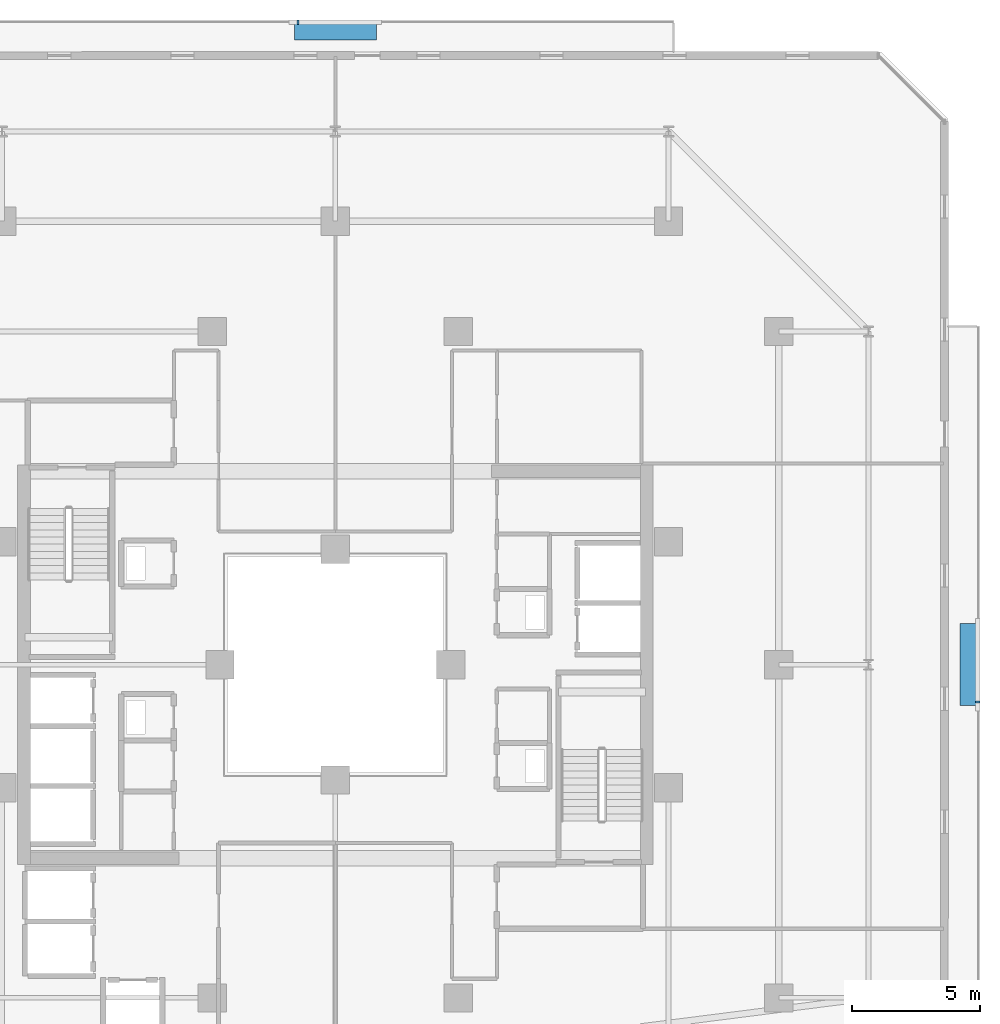
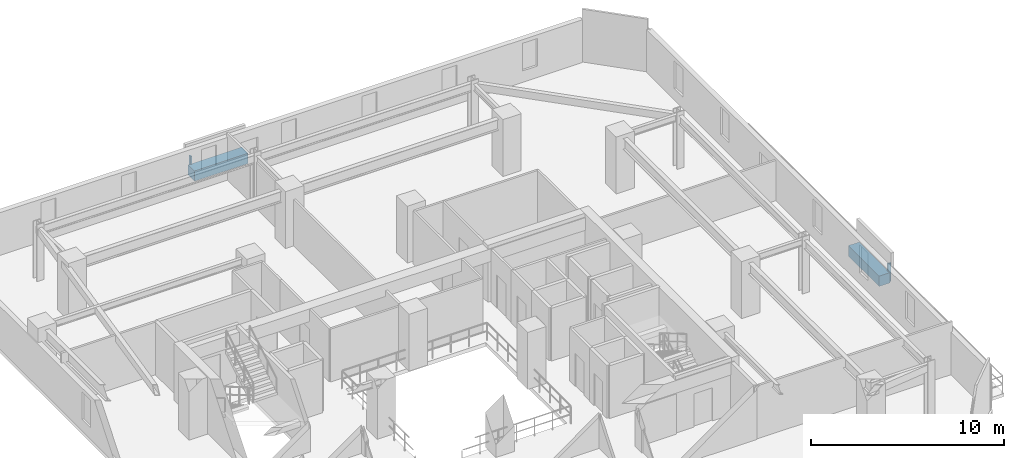
# One storey, part 28 of 32: 4 discrete accessories.
"""IFC4 building model written with IfcOpenShell, lengths in metres."""

import ifcopenshell
import ifcopenshell.guid

model = None  # the IFC model being written
_history = None  # IfcOwnerHistory: only IFC2X3 demands one
_inside = {}  # id of a spatial element -> (the spatial element, [elements in it])
_under = {}  # id of a project, library or spatial element -> (it, [spatial elements below it])
_declared = {}  # id of a project -> (the project, [libraries it declares])
_typed = {}  # id of a type object -> (the type object, [elements of that type])
_made_of = {}  # id of a material, layer set ... -> (it, [elements and type objects made of it])


def new_model(schema):
    """Start an empty IFC model of exactly this schema.

    Asked for "IFC4X3", IfcOpenShell would pick the latest addendum, in which some entities
    have other attributes; the version numbers below select the first issue.
    IFC2X3 requires an IfcOwnerHistory on every rooted entity: one is made here for all.
    """
    global model, _history
    if schema == "IFC4X3":
        model = ifcopenshell.file(schema_version=(4, 3, 0, 0))
    else:
        model = ifcopenshell.file(schema=schema)
    _inside.clear()
    _under.clear()
    _declared.clear()
    _typed.clear()
    _made_of.clear()
    _history = None
    if model.schema == "IFC2X3":
        org = make("IfcOrganization", Name="unknown")
        user = make(
            "IfcPersonAndOrganization",
            ThePerson=make("IfcPerson", FamilyName="unknown"),
            TheOrganization=org,
        )
        app = make(
            "IfcApplication",
            ApplicationDeveloper=org,
            Version="unknown",
            ApplicationFullName="unknown",
            ApplicationIdentifier="unknown",
        )
        _history = make(
            "IfcOwnerHistory",
            OwningUser=user,
            OwningApplication=app,
            ChangeAction="ADDED",
            CreationDate=0,
        )
    return model


def make(cls, **values):
    """One entity of the class cls with the attributes given. An attribute that is None is left unset."""
    return model.create_entity(
        cls, **{name: value for name, value in values.items() if value is not None}
    )


def rooted(cls, **values):
    """An entity with a GlobalId (a new one), such as an element, a storey or a relation."""
    return make(cls, GlobalId=ifcopenshell.guid.new(), OwnerHistory=_history, **values)


def si_unit(unit_type, name, prefix=None):
    """IfcSIUnit, for example si_unit("LENGTHUNIT", "METRE", prefix="MILLI")."""
    return make("IfcSIUnit", UnitType=unit_type, Prefix=prefix, Name=name)


def assignment(units):
    """IfcUnitAssignment: the units of a project."""
    return None if units is None else make("IfcUnitAssignment", Units=units)


def point(xyz):
    """IfcCartesianPoint."""
    return None if xyz is None else make("IfcCartesianPoint", Coordinates=xyz)


def direction(xyz):
    """IfcDirection."""
    return None if xyz is None else make("IfcDirection", DirectionRatios=xyz)


def frame(location, z_axis=None, x_axis=None):
    """IfcAxis2Placement3D, a coordinate frame: its origin and axes. An axis left out is left unset."""
    return make(
        "IfcAxis2Placement3D",
        Location=point(location),
        Axis=direction(z_axis),
        RefDirection=direction(x_axis),
    )


def frame_2d(location, x_axis=None):
    """IfcAxis2Placement2D, a coordinate frame in the plane: its origin and x axis."""
    return make(
        "IfcAxis2Placement2D", Location=point(location), RefDirection=direction(x_axis)
    )


def origin():
    """The frame at (0, 0, 0) with its axes left unset."""
    return frame((0.0, 0.0, 0.0))


def origin_2d():
    """The frame at (0, 0) in the plane with its x axis left unset."""
    return frame_2d((0.0, 0.0))


def place(relative_to, where):
    """IfcLocalPlacement: puts the frame where relative to a parent placement (None: the world)."""
    return make(
        "IfcLocalPlacement", PlacementRelTo=relative_to, RelativePlacement=where
    )


def context(
    kind, dimensions, precision=None, world=None, true_north=None, identifier=None
):
    """IfcGeometricRepresentationContext, for example the 3D "Model" context."""
    return make(
        "IfcGeometricRepresentationContext",
        ContextIdentifier=identifier,
        ContextType=kind,
        CoordinateSpaceDimension=dimensions,
        Precision=precision,
        WorldCoordinateSystem=world,
        TrueNorth=true_north,
    )


def subcontext(parent, identifier, kind, view, scale=None):
    """IfcGeometricRepresentationSubContext, for example "Body" below "Model"."""
    return make(
        "IfcGeometricRepresentationSubContext",
        ContextIdentifier=identifier,
        ContextType=kind,
        ParentContext=parent,
        TargetScale=scale,
        TargetView=view,
    )


def project(units=None, contexts=None):
    """IfcProject with its units and contexts."""
    return rooted(
        "IfcProject",
        Name="project",
        RepresentationContexts=contexts,
        UnitsInContext=assignment(units),
    )


def spatial(cls, under=None, at=None, **own):
    """A site, building, storey or space (cls), placed at a placement, below another one or the project."""
    s = rooted(cls, ObjectPlacement=at, **own)
    if under is not None:
        _under.setdefault(under.id(), (under, []))[1].append(s)
    return s


def profile(cls, at=None, kind="AREA", **sizes):
    """A parametric profile (cls). Its sizes go by their IFC names, for example OverallWidth=200.0."""
    return make(cls, ProfileType=kind, Position=at, **sizes)


def rectangle(**sizes):
    """IfcRectangleProfileDef."""
    return profile("IfcRectangleProfileDef", **sizes)


def extrude(swept, where, along, depth):
    """IfcExtrudedAreaSolid: the profile swept, set in the frame where, extruded along a direction by depth."""
    return make(
        "IfcExtrudedAreaSolid",
        SweptArea=swept,
        Position=where,
        ExtrudedDirection=direction(along),
        Depth=depth,
    )


def shape(context_of_items, identifier, shape_type, items):
    """IfcShapeRepresentation: the items that make up one representation, for example the "Body"."""
    return make(
        "IfcShapeRepresentation",
        ContextOfItems=context_of_items,
        RepresentationIdentifier=identifier,
        RepresentationType=shape_type,
        Items=items,
    )


def material(Name=None, Category=None):
    """IfcMaterial."""
    return make("IfcMaterial", Name=Name, Category=Category)


def made_of(thing, what):
    """Note that an element or type object is made of a material, layer set ...; save() writes the relation."""
    if what is not None:
        _made_of.setdefault(what.id(), (what, []))[1].append(thing)
    return thing


def type_object(cls, material=None, **own):
    """A type object (cls), such as IfcWallType, which elements share."""
    return made_of(rooted(cls, **own), material)


def element(
    cls,
    number,
    at=None,
    inside=None,
    cuts=None,
    type_object=None,
    material=None,
    context=None,
    identifier="Body",
    shape_type=None,
    held_by="IfcProductDefinitionShape",
    body=None,
    shapes=None,
    **own,
):
    """One element of the class cls, such as IfcWall. Its Tag is "e" and its number.

    at: its placement. inside: the storey or other place that contains it. cuts: it is an
    opening in that element (IfcRelVoidsElement). A single representation is given by context,
    identifier, shape_type and body (its items); several are given by shapes. held_by: the class
    of the entity that holds the representations. save() writes the other relations.
    """
    e = rooted(cls, Tag="e%d" % number, ObjectPlacement=at, **own)
    if body is not None:
        shapes = [shape(context, identifier, shape_type, body)]
    if shapes is not None:
        e.Representation = make(held_by, Representations=shapes)
    if inside is not None:
        _inside.setdefault(inside.id(), (inside, []))[1].append(e)
    if cuts is not None:
        rooted(
            "IfcRelVoidsElement", RelatingBuildingElement=cuts, RelatedOpeningElement=e
        )
    if type_object is not None:
        _typed.setdefault(type_object.id(), (type_object, []))[1].append(e)
    return made_of(e, material)


def aggregate(whole, parts):
    """IfcRelAggregates: a whole, such as a stair, and the parts it consists of."""
    return rooted("IfcRelAggregates", RelatingObject=whole, RelatedObjects=parts)


def save(model, path):
    """Write the relations noted so far, then the file.

    IfcRelAggregates (storeys below a building ...), IfcRelContainedInSpatialStructure (elements
    in a storey), IfcRelDefinesByType, IfcRelAssociatesMaterial and IfcRelDeclares: one each for
    every whole, place, type object, material and project.
    """
    for whole, parts in _under.values():
        aggregate(whole, parts)
    for where, things in _inside.values():
        rooted(
            "IfcRelContainedInSpatialStructure",
            RelatedElements=things,
            RelatingStructure=where,
        )
    for kind, things in _typed.values():
        rooted("IfcRelDefinesByType", RelatedObjects=things, RelatingType=kind)
    for what, things in _made_of.values():
        rooted("IfcRelAssociatesMaterial", RelatedObjects=things, RelatingMaterial=what)
    for by, libraries in _declared.values():
        rooted("IfcRelDeclares", RelatingContext=by, RelatedDefinitions=libraries)
    model.write(path)


model = new_model("IFC4")

# Units and contexts
model_context = context("Model", 3, precision=1e-05, world=origin(), true_north=direction((0.0, 1.0)))
body_context = subcontext(model_context, "Body", "Model", "MODEL_VIEW")
ifc_project = project(units=[si_unit("LENGTHUNIT", "METRE"), si_unit("AREAUNIT", "SQUARE_METRE"), si_unit("VOLUMEUNIT", "CUBIC_METRE"), si_unit("PLANEANGLEUNIT", "RADIAN"), si_unit("MASSUNIT", "GRAM", prefix="KILO")], contexts=[model_context])

# Site, building, storey
site_placement = place(None, origin())
site = spatial("IfcSite", under=ifc_project, at=site_placement, CompositionType="ELEMENT")
building_placement = place(site_placement, origin())
building = spatial("IfcBuilding", under=site, at=building_placement, Name="Thornwick Lancets Civic Towers", CompositionType="ELEMENT")
storey_placement = place(building_placement, frame((0.0, 0.0, 156.300048828125)))
storey = spatial("IfcBuildingStorey", under=building, at=storey_placement, Name="L41", CompositionType="ELEMENT", Elevation=156.300048828125)

# Discrete accessories
ifc_material_1 = material(Name="Planted terracotta greenery planter", Category="masonry")
discrete_accessory_type_1 = type_object("IfcDiscreteAccessoryType", Name="ACC_PLANTER_BOX", PredefinedType="USERDEFINED", material=ifc_material_1)
discrete_accessory_1_placement = place(storey_placement, frame((113.199951171875, 27.0, 0.0), z_axis=(0.0, 0.0, 1.0), x_axis=(1.0, 0.0, 0.0)))
element("IfcDiscreteAccessory", 1, at=discrete_accessory_1_placement, inside=storey, type_object=discrete_accessory_type_1, Name="L41 Tower B Balcony Greenery Planter E", ObjectType="PLANTER", PredefinedType="USERDEFINED", context=body_context, shape_type="SweptSolid", body=[
    extrude(rectangle(XDim=0.64990234375, YDim=3.199951171875, at=origin_2d()), origin(), (0.0, 0.0, 1.0), 0.64990234375),
])
discrete_accessory_2_placement = place(storey_placement, frame((88.5, 51.699951171875, 0.0), z_axis=(0.0, 0.0, 1.0), x_axis=(1.0, 0.0, 0.0)))
element("IfcDiscreteAccessory", 2, at=discrete_accessory_2_placement, inside=storey, type_object=discrete_accessory_type_1, Name="L41 Tower B Balcony Greenery Planter N", ObjectType="PLANTER", PredefinedType="USERDEFINED", context=body_context, shape_type="SweptSolid", body=[
    extrude(rectangle(XDim=3.199951171875, YDim=0.64990234375, at=origin_2d()), origin(), (0.0, 0.0, 1.0), 0.64990234375),
])
ifc_material_2 = material(Name="Stainless steel S355", Category="steel")
discrete_accessory_type_2 = type_object("IfcDiscreteAccessoryType", Name="ACC_SCREEN_BRACKET", PredefinedType="BRACKET", material=ifc_material_2)
for number, where, z_axis, x_axis, name in (
    (3, (113.56005859375, 25.550048828125, 0.0), (0.0, 0.0, 1.0), (0.0, 1.0, 0.0), "L41 Tower B Balcony Screen Stanchion Bracket E-1"),
    (4, (87.050048828125, 52.06005859375, 0.0), (0.0, 0.0, 1.0), (1.0, 0.0, 0.0), "L41 Tower B Balcony Screen Stanchion Bracket N-1"),
):
    element("IfcDiscreteAccessory", number, at=place(storey_placement, frame(where, z_axis=z_axis, x_axis=x_axis)), inside=storey, type_object=discrete_accessory_type_2, Name=name, PredefinedType="BRACKET", context=body_context, shape_type="SweptSolid", body=[
        extrude(rectangle(XDim=0.080078125, YDim=0.179931640625, at=origin_2d()), origin(), (0.0, 0.0, 1.0), 1.14990234375),
    ])

save(model, "model.ifc")
